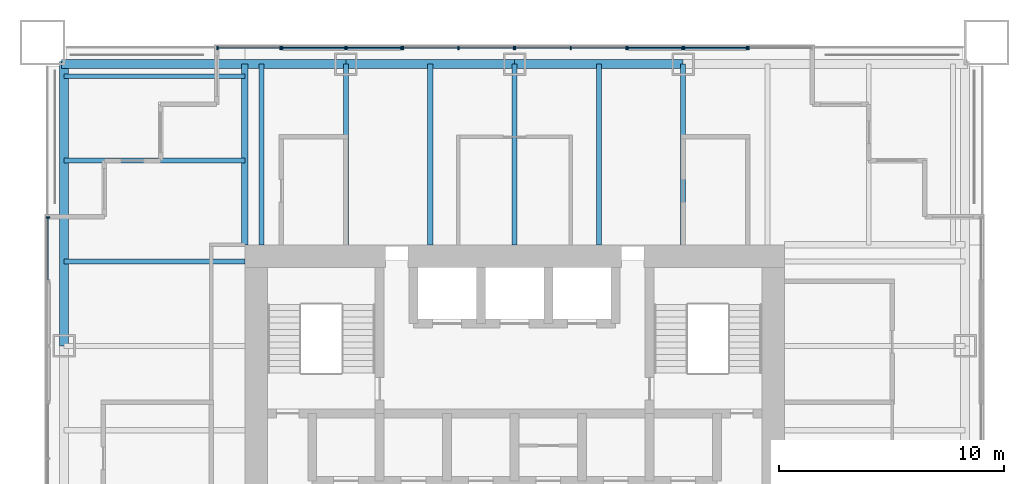
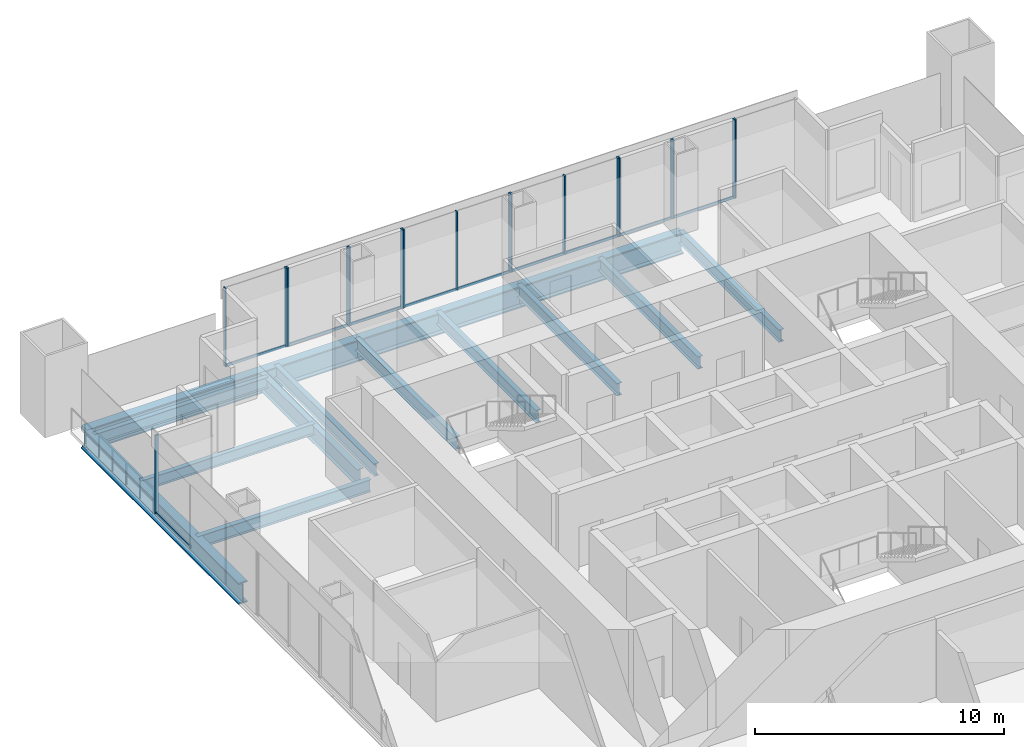
# One storey, part 6 of 14: 28 members, 14 beams, 9 elements without a shape of their own.
"""IFC4 building model written with IfcOpenShell, lengths in metres."""

from ifc_helpers import new_model, si_unit, direction, frame, origin, origin_2d, place, context, subcontext, project, spatial, rectangle, i_section, extrude, material, material_profile, profile_set, type_object, element, aggregate, save


model = new_model("IFC4")

# Units and contexts
model_context = context("Model", 3, precision=1e-05, world=origin(), true_north=direction((0.0, 1.0)))
body_context = subcontext(model_context, "Body", "Model", "MODEL_VIEW")
ifc_project = project(units=[si_unit("LENGTHUNIT", "METRE"), si_unit("AREAUNIT", "SQUARE_METRE"), si_unit("VOLUMEUNIT", "CUBIC_METRE"), si_unit("PLANEANGLEUNIT", "RADIAN"), si_unit("MASSUNIT", "GRAM", prefix="KILO")], contexts=[model_context])

# Site, building, storey
site_placement = place(None, origin())
site = spatial("IfcSite", under=ifc_project, at=site_placement, CompositionType="ELEMENT")
building_placement = place(site_placement, origin())
building = spatial("IfcBuilding", under=site, at=building_placement, Name="Tarangal Relay Tower", CompositionType="ELEMENT")
storey_placement = place(building_placement, frame((0.0, 0.0, 307.89990234375)))
storey = spatial("IfcBuildingStorey", under=building, at=storey_placement, Name="L68", CompositionType="ELEMENT", Elevation=307.89990234375)

# Beams
ifc_material_1 = material(Name="Steel ASTM A992", Category="steel")
ifc_material_profile_1 = material_profile(ifc_material_1, i_section(OverallWidth=0.209228515625, OverallDepth=0.533447265625, WebThickness=0.01025390625, FlangeThickness=0.015625, at=origin_2d()), Name="W21X62")
ifc_profile_set_1 = profile_set([ifc_material_profile_1], Name="Steel ASTM A992")
beam_type_1 = type_object("IfcBeamType", Name="Corner beam W21X62", PredefinedType="JOIST", material=ifc_profile_set_1)
for number, where, z_axis, x_axis, name in (
    (1, (-12.0, 15.75, -0.41650390625), (-1.0, 0.0, 0.0), (0.0, -1.0, 0.0), "Corner beam CB12 W L68"),
    (2, (-12.0, 19.5, -0.41650390625), (-1.0, 0.0, 0.0), (0.0, -1.0, 0.0), "Corner beam CB12 W L68"),
):
    element("IfcBeam", number, at=place(storey_placement, frame(where, z_axis=z_axis, x_axis=x_axis)), inside=storey, type_object=beam_type_1, Name=name, PredefinedType="JOIST", context=body_context, shape_type="SweptSolid", body=[
        extrude(i_section(OverallWidth=0.209228515625, OverallDepth=0.533447265625, WebThickness=0.01025390625, FlangeThickness=0.015625, at=origin_2d()), origin(), (0.0, 0.0, 1.0), 8.0400390625),
    ])
ifc_material_profile_2 = material_profile(ifc_material_1, i_section(OverallWidth=0.2919921875, OverallDepth=0.8408203125, WebThickness=0.0146484375, FlangeThickness=0.021728515625, at=origin_2d()), Name="W33X130")
ifc_profile_set_2 = profile_set([ifc_material_profile_2], Name="Steel ASTM A992")
beam_type_2 = type_object("IfcBeamType", Name="Corner girder W33X130", PredefinedType="BEAM", material=ifc_profile_set_2)
beam_1_placement = place(storey_placement, frame((-12.0, 12.0, -0.5703125), z_axis=(0.0, 1.0, 0.0), x_axis=(-1.0, 0.0, 0.0)))
element("IfcBeam", 3, at=beam_1_placement, inside=storey, type_object=beam_type_2, Name="Corner girder CG5 W L68", PredefinedType="BEAM", context=body_context, shape_type="SweptSolid", body=[
    extrude(i_section(OverallWidth=0.2919921875, OverallDepth=0.8408203125, WebThickness=0.0146484375, FlangeThickness=0.021728515625, at=origin_2d()), origin(), (0.0, 0.0, 1.0), 8.0400390625),
])
ifc_material_profile_3 = material_profile(ifc_material_1, i_section(OverallWidth=0.41162109375, OverallDepth=1.049072265625, WebThickness=0.033935546875, FlangeThickness=0.059814453125, at=origin_2d()), Name="W40X431")
ifc_profile_set_3 = profile_set([ifc_material_profile_3], Name="Steel ASTM A992")
beam_type_3 = type_object("IfcBeamType", Name="Edge girder W40X431", PredefinedType="SPANDREL", material=ifc_profile_set_3)
beam_2_placement = place(storey_placement, frame((-20.14990234375, 20.0400390625, -0.67431640625), z_axis=(1.0, 0.0, 0.0), x_axis=(0.0, 1.0, 0.0)))
element("IfcBeam", 4, at=beam_2_placement, inside=storey, type_object=beam_type_3, Name="Edge girder EG1 N L68", PredefinedType="SPANDREL", context=body_context, shape_type="SweptSolid", body=[
    extrude(i_section(OverallWidth=0.41162109375, OverallDepth=1.049072265625, WebThickness=0.033935546875, FlangeThickness=0.059814453125, at=origin_2d()), origin(), (0.0, 0.0, 1.0), 12.64990234375),
])
for number, where, z_axis, x_axis, name in (
    (5, (-7.5, 20.0400390625, -0.67431640625), (1.0, 0.0, 0.0), (0.0, 1.0, 0.0), "Edge girder EG1 N L68"),
    (6, (0.0, 20.0400390625, -0.67431640625), (1.0, 0.0, 0.0), (0.0, 1.0, 0.0), "Edge girder EG1 N L68"),
):
    element("IfcBeam", number, at=place(storey_placement, frame(where, z_axis=z_axis, x_axis=x_axis)), inside=storey, type_object=beam_type_3, Name=name, PredefinedType="SPANDREL", context=body_context, shape_type="SweptSolid", body=[
        extrude(i_section(OverallWidth=0.41162109375, OverallDepth=1.049072265625, WebThickness=0.033935546875, FlangeThickness=0.059814453125, at=origin_2d()), origin(), (0.0, 0.0, 1.0), 7.5),
    ])
beam_3_placement = place(storey_placement, frame((-20.0400390625, 7.5, -0.67431640625), z_axis=(0.0, 1.0, 0.0), x_axis=(-1.0, 0.0, 0.0)))
element("IfcBeam", 7, at=beam_3_placement, inside=storey, type_object=beam_type_3, Name="Edge girder EG1 W L68", PredefinedType="SPANDREL", context=body_context, shape_type="SweptSolid", body=[
    extrude(i_section(OverallWidth=0.41162109375, OverallDepth=1.049072265625, WebThickness=0.033935546875, FlangeThickness=0.059814453125, at=origin_2d()), origin(), (0.0, 0.0, 1.0), 12.64990234375),
])
ifc_material_profile_4 = material_profile(ifc_material_1, i_section(OverallWidth=0.228271484375, OverallDepth=0.607177734375, WebThickness=0.01123046875, FlangeThickness=0.017333984375, at=origin_2d()), Name="W24X76")
ifc_profile_set_4 = profile_set([ifc_material_profile_4], Name="Steel ASTM A992")
beam_type_4 = type_object("IfcBeamType", Name="Floor beam W24X76", PredefinedType="BEAM", material=ifc_profile_set_4)
for number, where, z_axis, x_axis, name in (
    (8, (-11.25, 12.0, -0.453369140625), (0.0, 1.0, 0.0), (-1.0, 0.0, 0.0), "Floor beam RB5 N L68"),
    (9, (-7.5, 12.0, -0.453369140625), (0.0, 1.0, 0.0), (-1.0, 0.0, 0.0), "Floor beam RB5 N L68"),
    (10, (-3.75, 12.0, -0.453369140625), (0.0, 1.0, 0.0), (-1.0, 0.0, 0.0), "Floor beam RB5 N L68"),
    (11, (0.0, 12.0, -0.453369140625), (0.0, 1.0, 0.0), (-1.0, 0.0, 0.0), "Floor beam RB5 N L68"),
    (12, (3.75, 12.0, -0.453369140625), (0.0, 1.0, 0.0), (-1.0, 0.0, 0.0), "Floor beam RB5 N L68"),
    (13, (7.5, 12.0, -0.453369140625), (0.0, 1.0, 0.0), (-1.0, 0.0, 0.0), "Floor beam RB5 N L68"),
    (14, (-12.0, 11.25, -0.453369140625), (-1.0, 0.0, 0.0), (0.0, -1.0, 0.0), "Floor beam RB5 W L68"),
):
    element("IfcBeam", number, at=place(storey_placement, frame(where, z_axis=z_axis, x_axis=x_axis)), inside=storey, type_object=beam_type_4, Name=name, PredefinedType="BEAM", context=body_context, shape_type="SweptSolid", body=[
        extrude(i_section(OverallWidth=0.228271484375, OverallDepth=0.607177734375, WebThickness=0.01123046875, FlangeThickness=0.017333984375, at=origin_2d()), origin(), (0.0, 0.0, 1.0), 8.0400390625),
    ])

# Curtain wall, members
ifc_material_2 = material(Name="Unitised curtain wall, dark glass and black aluminium", Category="aluminium")
curtain_wall_type_1 = type_object("IfcCurtainWallType", Name="Curtain wall CW-B", PredefinedType="USERDEFINED", material=ifc_material_2)
curtain_wall_1_placement = place(storey_placement, origin())
curtain_wall_1 = element("IfcCurtainWall", 15, at=curtain_wall_1_placement, inside=storey, type_object=curtain_wall_type_1, Name="Curtain wall CW-B N facade L68", ObjectType="UNITISED CURTAIN WALL", PredefinedType="USERDEFINED")
ifc_material_3 = material(Name="Black anodised aluminium mullion", Category="aluminium")
ifc_material_profile_5 = material_profile(ifc_material_3, rectangle(XDim=0.159912109375, YDim=0.06005859375, at=origin_2d()), Name="CW-BM 60X160")
ifc_profile_set_5 = profile_set([ifc_material_profile_5], Name="Black anodised aluminium mullion")
member_type_1 = type_object("IfcMemberType", Name="Mullion CW-B 60 x 160", PredefinedType="MULLION", material=ifc_profile_set_5)
member_1_placement = place(storey_placement, frame((-13.219970703125, 20.75, 0.0), z_axis=(0.0, 0.0, 1.0), x_axis=(0.0, 1.0, 0.0)))
member_1 = element("IfcMember", 16, at=member_1_placement, type_object=member_type_1, Name="CW-B mullion 1", PredefinedType="MULLION", context=body_context, shape_type="SweptSolid", body=[
    extrude(rectangle(XDim=0.159912109375, YDim=0.06005859375, at=origin_2d()), origin(), (0.0, 0.0, 1.0), 3.85009765625),
])
member_2_placement = place(storey_placement, frame((-10.405029296875, 20.75, 0.0), z_axis=(0.0, 0.0, 1.0), x_axis=(0.0, 1.0, 0.0)))
member_2 = element("IfcMember", 17, at=member_2_placement, type_object=member_type_1, Name="CW-B mullion 2", PredefinedType="MULLION", context=body_context, shape_type="SweptSolid", body=[
    extrude(rectangle(XDim=0.159912109375, YDim=0.06005859375, at=origin_2d()), origin(), (0.0, 0.0, 1.0), 3.85009765625),
])

curtain_wall_2_placement = place(storey_placement, origin())
curtain_wall_2 = element("IfcCurtainWall", 18, at=curtain_wall_2_placement, inside=storey, type_object=curtain_wall_type_1, Name="Curtain wall CW-B N facade L68", ObjectType="UNITISED CURTAIN WALL", PredefinedType="USERDEFINED")
member_3_placement = place(storey_placement, frame((-4.969970703125, 20.75, 0.0), z_axis=(0.0, 0.0, 1.0), x_axis=(0.0, 1.0, 0.0)))
member_3 = element("IfcMember", 19, at=member_3_placement, type_object=member_type_1, Name="CW-B mullion 1", PredefinedType="MULLION", context=body_context, shape_type="SweptSolid", body=[
    extrude(rectangle(XDim=0.159912109375, YDim=0.06005859375, at=origin_2d()), origin(), (0.0, 0.0, 1.0), 3.85009765625),
])
member_4_placement = place(storey_placement, frame((-2.5, 20.75, 0.0), z_axis=(0.0, 0.0, 1.0), x_axis=(0.0, 1.0, 0.0)))
member_4 = element("IfcMember", 20, at=member_4_placement, type_object=member_type_1, Name="CW-B mullion 2", PredefinedType="MULLION", context=body_context, shape_type="SweptSolid", body=[
    extrude(rectangle(XDim=0.159912109375, YDim=0.06005859375, at=origin_2d()), origin(), (0.0, 0.0, 1.0), 3.85009765625),
])
member_5_placement = place(storey_placement, frame((-0.030029296875, 20.75, 0.0), z_axis=(0.0, 0.0, 1.0), x_axis=(0.0, 1.0, 0.0)))
member_5 = element("IfcMember", 21, at=member_5_placement, type_object=member_type_1, Name="CW-B mullion 3", PredefinedType="MULLION", context=body_context, shape_type="SweptSolid", body=[
    extrude(rectangle(XDim=0.159912109375, YDim=0.06005859375, at=origin_2d()), origin(), (0.0, 0.0, 1.0), 3.85009765625),
])

curtain_wall_3_placement = place(storey_placement, origin())
curtain_wall_3 = element("IfcCurtainWall", 22, at=curtain_wall_3_placement, inside=storey, type_object=curtain_wall_type_1, Name="Curtain wall CW-B N facade L68", ObjectType="UNITISED CURTAIN WALL", PredefinedType="USERDEFINED")
member_6_placement = place(storey_placement, frame((0.030029296875, 20.75, 0.0), z_axis=(0.0, 0.0, 1.0), x_axis=(0.0, 1.0, 0.0)))
member_6 = element("IfcMember", 23, at=member_6_placement, type_object=member_type_1, Name="CW-B mullion 1", PredefinedType="MULLION", context=body_context, shape_type="SweptSolid", body=[
    extrude(rectangle(XDim=0.159912109375, YDim=0.06005859375, at=origin_2d()), origin(), (0.0, 0.0, 1.0), 3.85009765625),
])
member_7_placement = place(storey_placement, frame((2.5, 20.75, 0.0), z_axis=(0.0, 0.0, 1.0), x_axis=(0.0, 1.0, 0.0)))
member_7 = element("IfcMember", 24, at=member_7_placement, type_object=member_type_1, Name="CW-B mullion 2", PredefinedType="MULLION", context=body_context, shape_type="SweptSolid", body=[
    extrude(rectangle(XDim=0.159912109375, YDim=0.06005859375, at=origin_2d()), origin(), (0.0, 0.0, 1.0), 3.85009765625),
])
member_8_placement = place(storey_placement, frame((4.969970703125, 20.75, 0.0), z_axis=(0.0, 0.0, 1.0), x_axis=(0.0, 1.0, 0.0)))
member_8 = element("IfcMember", 25, at=member_8_placement, type_object=member_type_1, Name="CW-B mullion 3", PredefinedType="MULLION", context=body_context, shape_type="SweptSolid", body=[
    extrude(rectangle(XDim=0.159912109375, YDim=0.06005859375, at=origin_2d()), origin(), (0.0, 0.0, 1.0), 3.85009765625),
])

# Curtain wall, member
curtain_wall_4_placement = place(storey_placement, origin())
curtain_wall_4 = element("IfcCurtainWall", 26, at=curtain_wall_4_placement, inside=storey, type_object=curtain_wall_type_1, Name="Curtain wall CW-B N facade L68", ObjectType="UNITISED CURTAIN WALL", PredefinedType="USERDEFINED")
member_9_placement = place(storey_placement, frame((10.405029296875, 20.75, 0.0), z_axis=(0.0, 0.0, 1.0), x_axis=(0.0, 1.0, 0.0)))
member_9 = element("IfcMember", 27, at=member_9_placement, type_object=member_type_1, Name="CW-B mullion 1", PredefinedType="MULLION", context=body_context, shape_type="SweptSolid", body=[
    extrude(rectangle(XDim=0.159912109375, YDim=0.06005859375, at=origin_2d()), origin(), (0.0, 0.0, 1.0), 3.85009765625),
])
aggregate(curtain_wall_4, [member_9])

curtain_wall_5_placement = place(storey_placement, origin())
curtain_wall_5 = element("IfcCurtainWall", 28, at=curtain_wall_5_placement, inside=storey, type_object=curtain_wall_type_1, Name="Curtain wall CW-B W facade L68", ObjectType="UNITISED CURTAIN WALL", PredefinedType="USERDEFINED")
member_10_placement = place(storey_placement, frame((-20.75, 13.219970703125, 0.0), z_axis=(0.0, 0.0, 1.0), x_axis=(-1.0, 0.0, 0.0)))
member_10 = element("IfcMember", 29, at=member_10_placement, type_object=member_type_1, Name="CW-B mullion 2", PredefinedType="MULLION", context=body_context, shape_type="SweptSolid", body=[
    extrude(rectangle(XDim=0.159912109375, YDim=0.06005859375, at=origin_2d()), origin(), (0.0, 0.0, 1.0), 3.85009765625),
])

# Curtain wall, members
ifc_material_4 = material(Name="Unitised curtain wall frame, black aluminium, with metal clad infill walls", Category="aluminium")
curtain_wall_type_2 = type_object("IfcCurtainWallType", Name="Curtain wall CW-BO", PredefinedType="USERDEFINED", material=ifc_material_4)
curtain_wall_6_placement = place(storey_placement, origin())
curtain_wall_6 = element("IfcCurtainWall", 30, at=curtain_wall_6_placement, inside=storey, type_object=curtain_wall_type_2, Name="Curtain wall CW-BO N facade L68", ObjectType="UNITISED CURTAIN WALL", PredefinedType="USERDEFINED")
ifc_material_profile_6 = material_profile(ifc_material_3, rectangle(XDim=0.159912109375, YDim=0.06005859375, at=origin_2d()), Name="CW-BOM 60X160")
ifc_profile_set_6 = profile_set([ifc_material_profile_6], Name="Black anodised aluminium mullion")
member_type_2 = type_object("IfcMemberType", Name="Mullion CW-BO 60 x 160", PredefinedType="MULLION", material=ifc_profile_set_6)
member_11_placement = place(storey_placement, frame((-10.344970703125, 20.75, 0.0), z_axis=(0.0, 0.0, 1.0), x_axis=(0.0, 1.0, 0.0)))
member_11 = element("IfcMember", 31, at=member_11_placement, type_object=member_type_2, Name="CW-BO mullion 1", PredefinedType="MULLION", context=body_context, shape_type="SweptSolid", body=[
    extrude(rectangle(XDim=0.159912109375, YDim=0.06005859375, at=origin_2d()), origin(), (0.0, 0.0, 1.0), 3.85009765625),
])
member_12_placement = place(storey_placement, frame((-7.530029296875, 20.75, 0.0), z_axis=(0.0, 0.0, 1.0), x_axis=(0.0, 1.0, 0.0)))
member_12 = element("IfcMember", 32, at=member_12_placement, type_object=member_type_2, Name="CW-BO mullion 2", PredefinedType="MULLION", context=body_context, shape_type="SweptSolid", body=[
    extrude(rectangle(XDim=0.159912109375, YDim=0.06005859375, at=origin_2d()), origin(), (0.0, 0.0, 1.0), 3.85009765625),
])

curtain_wall_7_placement = place(storey_placement, origin())
curtain_wall_7 = element("IfcCurtainWall", 33, at=curtain_wall_7_placement, inside=storey, type_object=curtain_wall_type_2, Name="Curtain wall CW-BO N facade L68", ObjectType="UNITISED CURTAIN WALL", PredefinedType="USERDEFINED")
member_13_placement = place(storey_placement, frame((-7.469970703125, 20.75, 0.0), z_axis=(0.0, 0.0, 1.0), x_axis=(0.0, 1.0, 0.0)))
member_13 = element("IfcMember", 34, at=member_13_placement, type_object=member_type_2, Name="CW-BO mullion 1", PredefinedType="MULLION", context=body_context, shape_type="SweptSolid", body=[
    extrude(rectangle(XDim=0.159912109375, YDim=0.06005859375, at=origin_2d()), origin(), (0.0, 0.0, 1.0), 3.85009765625),
])
member_14_placement = place(storey_placement, frame((-5.030029296875, 20.75, 0.0), z_axis=(0.0, 0.0, 1.0), x_axis=(0.0, 1.0, 0.0)))
member_14 = element("IfcMember", 35, at=member_14_placement, type_object=member_type_2, Name="CW-BO mullion 2", PredefinedType="MULLION", context=body_context, shape_type="SweptSolid", body=[
    extrude(rectangle(XDim=0.159912109375, YDim=0.06005859375, at=origin_2d()), origin(), (0.0, 0.0, 1.0), 3.85009765625),
])

curtain_wall_8_placement = place(storey_placement, origin())
curtain_wall_8 = element("IfcCurtainWall", 36, at=curtain_wall_8_placement, inside=storey, type_object=curtain_wall_type_2, Name="Curtain wall CW-BO N facade L68", ObjectType="UNITISED CURTAIN WALL", PredefinedType="USERDEFINED")
member_15_placement = place(storey_placement, frame((5.030029296875, 20.75, 0.0), z_axis=(0.0, 0.0, 1.0), x_axis=(0.0, 1.0, 0.0)))
member_15 = element("IfcMember", 37, at=member_15_placement, type_object=member_type_2, Name="CW-BO mullion 1", PredefinedType="MULLION", context=body_context, shape_type="SweptSolid", body=[
    extrude(rectangle(XDim=0.159912109375, YDim=0.06005859375, at=origin_2d()), origin(), (0.0, 0.0, 1.0), 3.85009765625),
])
member_16_placement = place(storey_placement, frame((7.469970703125, 20.75, 0.0), z_axis=(0.0, 0.0, 1.0), x_axis=(0.0, 1.0, 0.0)))
member_16 = element("IfcMember", 38, at=member_16_placement, type_object=member_type_2, Name="CW-BO mullion 2", PredefinedType="MULLION", context=body_context, shape_type="SweptSolid", body=[
    extrude(rectangle(XDim=0.159912109375, YDim=0.06005859375, at=origin_2d()), origin(), (0.0, 0.0, 1.0), 3.85009765625),
])

curtain_wall_9_placement = place(storey_placement, origin())
curtain_wall_9 = element("IfcCurtainWall", 39, at=curtain_wall_9_placement, inside=storey, type_object=curtain_wall_type_2, Name="Curtain wall CW-BO N facade L68", ObjectType="UNITISED CURTAIN WALL", PredefinedType="USERDEFINED")
member_17_placement = place(storey_placement, frame((7.530029296875, 20.75, 0.0), z_axis=(0.0, 0.0, 1.0), x_axis=(0.0, 1.0, 0.0)))
member_17 = element("IfcMember", 40, at=member_17_placement, type_object=member_type_2, Name="CW-BO mullion 1", PredefinedType="MULLION", context=body_context, shape_type="SweptSolid", body=[
    extrude(rectangle(XDim=0.159912109375, YDim=0.06005859375, at=origin_2d()), origin(), (0.0, 0.0, 1.0), 3.85009765625),
])
member_18_placement = place(storey_placement, frame((10.344970703125, 20.75, 0.0), z_axis=(0.0, 0.0, 1.0), x_axis=(0.0, 1.0, 0.0)))
member_18 = element("IfcMember", 41, at=member_18_placement, type_object=member_type_2, Name="CW-BO mullion 2", PredefinedType="MULLION", context=body_context, shape_type="SweptSolid", body=[
    extrude(rectangle(XDim=0.159912109375, YDim=0.06005859375, at=origin_2d()), origin(), (0.0, 0.0, 1.0), 3.85009765625),
])

# Member
ifc_material_5 = material(Name="Black anodised aluminium transom", Category="aluminium")
ifc_material_profile_7 = material_profile(ifc_material_5, rectangle(XDim=0.06005859375, YDim=0.1298828125, at=origin_2d()), Name="CW-BT 60X130")
ifc_profile_set_7 = profile_set([ifc_material_profile_7], Name="Black anodised aluminium transom")
member_type_3 = type_object("IfcMemberType", Name="Transom CW-B 60 x 130", PredefinedType="USERDEFINED", material=ifc_profile_set_7)
member_19_placement = place(storey_placement, frame((-13.18994140625, 20.75, 0.030029296875), z_axis=(1.0, 0.0, 0.0), x_axis=(0.0, 1.0, 0.0)))
member_19 = element("IfcMember", 42, at=member_19_placement, type_object=member_type_3, Name="CW-B transom 1.1", ObjectType="TRANSOM", PredefinedType="USERDEFINED", context=body_context, shape_type="SweptSolid", body=[
    extrude(rectangle(XDim=0.06005859375, YDim=0.1298828125, at=origin_2d()), origin(), (0.0, 0.0, 1.0), 2.7548828125),
])

aggregate(curtain_wall_1, [member_1, member_2, member_19])

member_20_placement = place(storey_placement, frame((-4.93994140625, 20.75, 0.030029296875), z_axis=(1.0, 0.0, 0.0), x_axis=(0.0, 1.0, 0.0)))
member_20 = element("IfcMember", 43, at=member_20_placement, type_object=member_type_3, Name="CW-B transom 1.1", ObjectType="TRANSOM", PredefinedType="USERDEFINED", context=body_context, shape_type="SweptSolid", body=[
    extrude(rectangle(XDim=0.06005859375, YDim=0.1298828125, at=origin_2d()), origin(), (0.0, 0.0, 1.0), 2.409912109375),
])

member_21_placement = place(storey_placement, frame((-2.469970703125, 20.75, 0.030029296875), z_axis=(1.0, 0.0, 0.0), x_axis=(0.0, 1.0, 0.0)))
member_21 = element("IfcMember", 44, at=member_21_placement, type_object=member_type_3, Name="CW-B transom 2.1", ObjectType="TRANSOM", PredefinedType="USERDEFINED", context=body_context, shape_type="SweptSolid", body=[
    extrude(rectangle(XDim=0.06005859375, YDim=0.1298828125, at=origin_2d()), origin(), (0.0, 0.0, 1.0), 2.409912109375),
])

aggregate(curtain_wall_2, [member_3, member_4, member_5, member_20, member_21])

member_22_placement = place(storey_placement, frame((0.06005859375, 20.75, 0.030029296875), z_axis=(1.0, 0.0, 0.0), x_axis=(0.0, 1.0, 0.0)))
member_22 = element("IfcMember", 45, at=member_22_placement, type_object=member_type_3, Name="CW-B transom 1.1", ObjectType="TRANSOM", PredefinedType="USERDEFINED", context=body_context, shape_type="SweptSolid", body=[
    extrude(rectangle(XDim=0.06005859375, YDim=0.1298828125, at=origin_2d()), origin(), (0.0, 0.0, 1.0), 2.409912109375),
])

member_23_placement = place(storey_placement, frame((2.530029296875, 20.75, 0.030029296875), z_axis=(1.0, 0.0, 0.0), x_axis=(0.0, 1.0, 0.0)))
member_23 = element("IfcMember", 46, at=member_23_placement, type_object=member_type_3, Name="CW-B transom 2.1", ObjectType="TRANSOM", PredefinedType="USERDEFINED", context=body_context, shape_type="SweptSolid", body=[
    extrude(rectangle(XDim=0.06005859375, YDim=0.1298828125, at=origin_2d()), origin(), (0.0, 0.0, 1.0), 2.409912109375),
])

aggregate(curtain_wall_3, [member_6, member_7, member_8, member_22, member_23])

member_24_placement = place(storey_placement, frame((-20.75, 10.43505859375, 0.030029296875), z_axis=(0.0, 1.0, 0.0), x_axis=(-1.0, 0.0, 0.0)))
member_24 = element("IfcMember", 47, at=member_24_placement, type_object=member_type_3, Name="CW-B transom 1.1", ObjectType="TRANSOM", PredefinedType="USERDEFINED", context=body_context, shape_type="SweptSolid", body=[
    extrude(rectangle(XDim=0.06005859375, YDim=0.1298828125, at=origin_2d()), origin(), (0.0, 0.0, 1.0), 2.7548828125),
])

aggregate(curtain_wall_5, [member_10, member_24])

ifc_material_profile_8 = material_profile(ifc_material_5, rectangle(XDim=0.06005859375, YDim=0.1298828125, at=origin_2d()), Name="CW-BOT 60X130")
ifc_profile_set_8 = profile_set([ifc_material_profile_8], Name="Black anodised aluminium transom")
member_type_4 = type_object("IfcMemberType", Name="Transom CW-BO 60 x 130", PredefinedType="USERDEFINED", material=ifc_profile_set_8)
member_25_placement = place(storey_placement, frame((-10.31494140625, 20.75, 0.030029296875), z_axis=(1.0, 0.0, 0.0), x_axis=(0.0, 1.0, 0.0)))
member_25 = element("IfcMember", 48, at=member_25_placement, type_object=member_type_4, Name="CW-BO transom 1.1", ObjectType="TRANSOM", PredefinedType="USERDEFINED", context=body_context, shape_type="SweptSolid", body=[
    extrude(rectangle(XDim=0.06005859375, YDim=0.1298828125, at=origin_2d()), origin(), (0.0, 0.0, 1.0), 2.7548828125),
])

aggregate(curtain_wall_6, [member_11, member_12, member_25])

member_26_placement = place(storey_placement, frame((-7.43994140625, 20.75, 0.030029296875), z_axis=(1.0, 0.0, 0.0), x_axis=(0.0, 1.0, 0.0)))
member_26 = element("IfcMember", 49, at=member_26_placement, type_object=member_type_4, Name="CW-BO transom 1.1", ObjectType="TRANSOM", PredefinedType="USERDEFINED", context=body_context, shape_type="SweptSolid", body=[
    extrude(rectangle(XDim=0.06005859375, YDim=0.1298828125, at=origin_2d()), origin(), (0.0, 0.0, 1.0), 2.3798828125),
])

aggregate(curtain_wall_7, [member_13, member_14, member_26])

member_27_placement = place(storey_placement, frame((5.06005859375, 20.75, 0.030029296875), z_axis=(1.0, 0.0, 0.0), x_axis=(0.0, 1.0, 0.0)))
member_27 = element("IfcMember", 50, at=member_27_placement, type_object=member_type_4, Name="CW-BO transom 1.1", ObjectType="TRANSOM", PredefinedType="USERDEFINED", context=body_context, shape_type="SweptSolid", body=[
    extrude(rectangle(XDim=0.06005859375, YDim=0.1298828125, at=origin_2d()), origin(), (0.0, 0.0, 1.0), 2.3798828125),
])

aggregate(curtain_wall_8, [member_15, member_16, member_27])

member_28_placement = place(storey_placement, frame((7.56005859375, 20.75, 0.030029296875), z_axis=(1.0, 0.0, 0.0), x_axis=(0.0, 1.0, 0.0)))
member_28 = element("IfcMember", 51, at=member_28_placement, type_object=member_type_4, Name="CW-BO transom 1.1", ObjectType="TRANSOM", PredefinedType="USERDEFINED", context=body_context, shape_type="SweptSolid", body=[
    extrude(rectangle(XDim=0.06005859375, YDim=0.1298828125, at=origin_2d()), origin(), (0.0, 0.0, 1.0), 2.7548828125),
])

aggregate(curtain_wall_9, [member_17, member_18, member_28])

save(model, "model.ifc")
